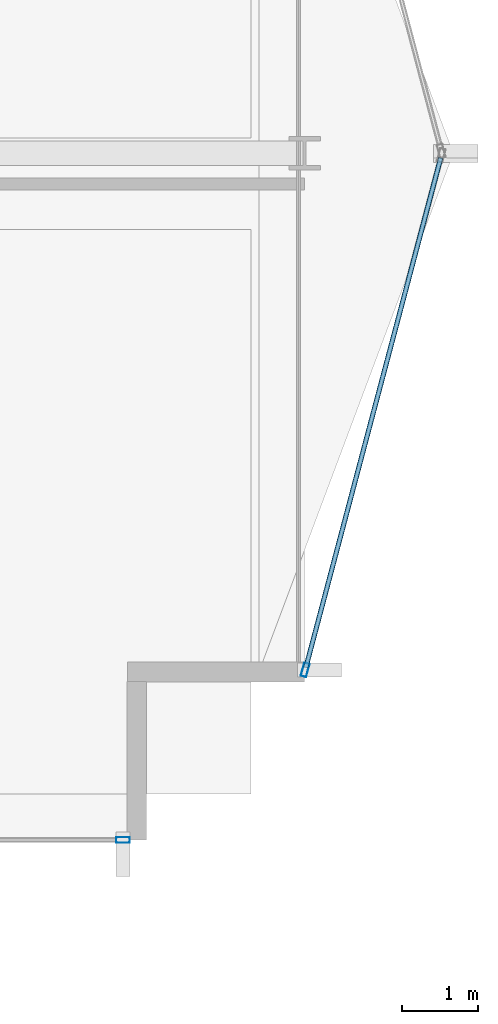
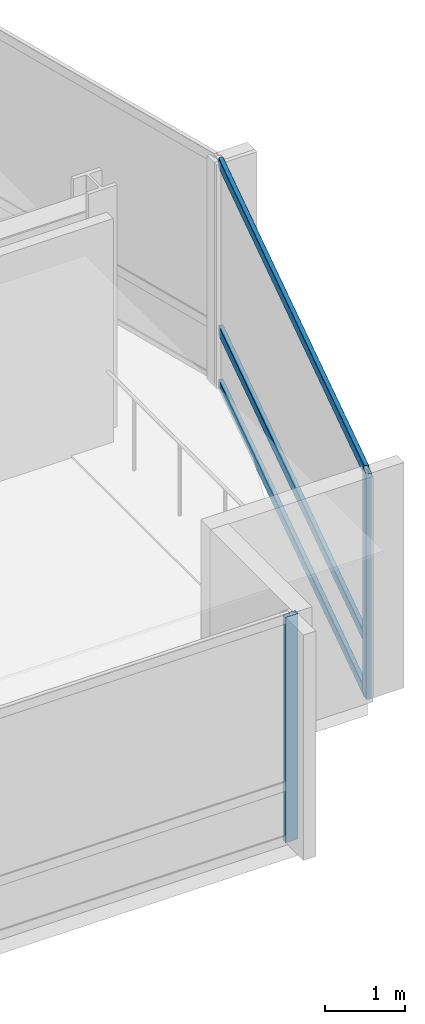
# One storey, part 11 of 28: 5 members, 2 elements without a shape of their own.
"""IFC4 building model written with IfcOpenShell, lengths in metres."""

from ifc_helpers import new_model, si_unit, direction, frame, origin, origin_2d, place, context, subcontext, project, spatial, hollow_rectangle, extrude, material, layer, layer_set, material_profile, profile_set, type_object, element, aggregate, save


model = new_model("IFC4")

# Units and contexts
model_context = context("Model", 3, precision=1e-05, world=origin(), true_north=direction((0.0, 1.0)))
body_context = subcontext(model_context, "Body", "Model", "MODEL_VIEW")
ifc_project = project(units=[si_unit("LENGTHUNIT", "METRE"), si_unit("AREAUNIT", "SQUARE_METRE"), si_unit("VOLUMEUNIT", "CUBIC_METRE"), si_unit("PLANEANGLEUNIT", "RADIAN"), si_unit("MASSUNIT", "GRAM", prefix="KILO")], contexts=[model_context])

# Site, building, storey
site_placement = place(None, origin())
site = spatial("IfcSite", under=ifc_project, at=site_placement, CompositionType="ELEMENT")
building_placement = place(site_placement, origin())
building = spatial("IfcBuilding", under=site, at=building_placement, Name="Solvaryn Broadcast Tower", CompositionType="ELEMENT")
storey_placement = place(building_placement, frame((0.0, 0.0, 150.699951171875)))
storey = spatial("IfcBuildingStorey", under=building, at=storey_placement, Name="L37", CompositionType="ELEMENT", Elevation=150.699951171875)

# Curtain wall, member
ifc_material_1 = material(Name="Aluminium and Terracotta Unitised Curtain Wall", Category="masonry")
ifc_layer = layer(ifc_material_1, 0.199951171875)
ifc_layer_set = layer_set([ifc_layer], Name="CW-SYS2-LOWMID")
curtain_wall_type = type_object("IfcCurtainWallType", Name="CW-SYS2-LOWMID", PredefinedType="NOTDEFINED", material=ifc_layer_set)
curtain_wall_1_placement = place(storey_placement, origin())
curtain_wall_1 = element("IfcCurtainWall", 1, at=curtain_wall_1_placement, inside=storey, type_object=curtain_wall_type, Name="L37 Curtain Wall S2", PredefinedType="NOTDEFINED")
ifc_material_2 = material(Name="Anodised Aluminium 6063-T6", Category="aluminium")
ifc_material_profile_1 = material_profile(ifc_material_2, hollow_rectangle(XDim=0.074951171875, YDim=0.179931640625, WallThickness=0.00390625, InnerFilletRadius=0.00390625, OuterFilletRadius=0.008056640625, at=origin_2d()))
ifc_profile_set_1 = profile_set([ifc_material_profile_1], Name="Anodised Aluminium 6063-T6")
member_type_1 = type_object("IfcMemberType", Name="CW-MUL-180", PredefinedType="MULLION", material=ifc_profile_set_1)
member_1_placement = place(storey_placement, frame((51.6201171875, 9.0, 0.0), z_axis=(0.0, 0.0, 1.0), x_axis=(0.0, 1.0, 0.0)))
member_1 = element("IfcMember", 2, at=member_1_placement, type_object=member_type_1, Name="CWS2 mullion 2", PredefinedType="MULLION", context=body_context, shape_type="SweptSolid", body=[
    extrude(hollow_rectangle(XDim=0.074951171875, YDim=0.179931640625, WallThickness=0.00390625, InnerFilletRadius=0.00390625, OuterFilletRadius=0.008056640625, at=origin_2d()), origin(), (0.0, 0.0, 1.0), 3.420166015625),
])
aggregate(curtain_wall_1, [member_1])

# Curtain wall, members
curtain_wall_2_placement = place(storey_placement, origin())
curtain_wall_2 = element("IfcCurtainWall", 3, at=curtain_wall_2_placement, inside=storey, type_object=curtain_wall_type, Name="L37 Curtain Wall ET2", PredefinedType="NOTDEFINED")
member_2_placement = place(storey_placement, frame((54.007568359375, 11.22900390625, 0.0), z_axis=(0.0, 0.0, 1.0), x_axis=(0.966705227863, -0.25589256031, 0.0)))
member_2 = element("IfcMember", 4, at=member_2_placement, type_object=member_type_1, Name="CWS2 mullion 2", PredefinedType="MULLION", context=body_context, shape_type="SweptSolid", body=[
    extrude(hollow_rectangle(XDim=0.074951171875, YDim=0.179931640625, WallThickness=0.00390625, InnerFilletRadius=0.00390625, OuterFilletRadius=0.008056640625, at=origin_2d()), origin(), (0.0, 0.0, 1.0), 3.420166015625),
])
ifc_material_3 = material(Name="Anodised Aluminium 6063-T6", Category="aluminium")
ifc_material_profile_2 = material_profile(ifc_material_3, hollow_rectangle(XDim=0.06494140625, YDim=0.14990234375, WallThickness=0.00390625, InnerFilletRadius=0.00390625, OuterFilletRadius=0.008056640625, at=origin_2d()))
ifc_profile_set_2 = profile_set([ifc_material_profile_2], Name="Anodised Aluminium 6063-T6")
member_type_2 = type_object("IfcMemberType", Name="CW-TRN-150", PredefinedType="USERDEFINED", material=ifc_profile_set_2)
member_3_placement = place(storey_placement, frame((55.78466796875, 17.94189453125, 0.030029296875), z_axis=(-0.255897413051, -0.966703943301, 0.0), x_axis=(0.966703943301, -0.255897413051, 0.0)))
member_3 = element("IfcMember", 5, at=member_3_placement, type_object=member_type_2, Name="CWS2 transom 1.1", ObjectType="TRANSOM", PredefinedType="USERDEFINED", context=body_context, shape_type="SweptSolid", body=[
    extrude(hollow_rectangle(XDim=0.06494140625, YDim=0.14990234375, WallThickness=0.00390625, InnerFilletRadius=0.00390625, OuterFilletRadius=0.008056640625, at=origin_2d()), origin(), (0.0, 0.0, 1.0), 6.9140625),
])
member_4_placement = place(storey_placement, frame((55.78466796875, 17.94189453125, 0.85009765625), z_axis=(-0.255897413051, -0.966703943301, 0.0), x_axis=(0.966703943301, -0.255897413051, 0.0)))
member_4 = element("IfcMember", 6, at=member_4_placement, type_object=member_type_2, Name="CWS2 transom 1.2", ObjectType="TRANSOM", PredefinedType="USERDEFINED", context=body_context, shape_type="SweptSolid", body=[
    extrude(hollow_rectangle(XDim=0.06494140625, YDim=0.14990234375, WallThickness=0.00390625, InnerFilletRadius=0.00390625, OuterFilletRadius=0.008056640625, at=origin_2d()), origin(), (0.0, 0.0, 1.0), 6.9140625),
])
member_5_placement = place(storey_placement, frame((55.78466796875, 17.94189453125, 3.39013671875), z_axis=(-0.255897413051, -0.966703943301, 0.0), x_axis=(0.966703943301, -0.255897413051, 0.0)))
member_5 = element("IfcMember", 7, at=member_5_placement, type_object=member_type_2, Name="CWS2 transom 1.3", ObjectType="TRANSOM", PredefinedType="USERDEFINED", context=body_context, shape_type="SweptSolid", body=[
    extrude(hollow_rectangle(XDim=0.06494140625, YDim=0.14990234375, WallThickness=0.00390625, InnerFilletRadius=0.00390625, OuterFilletRadius=0.008056640625, at=origin_2d()), origin(), (0.0, 0.0, 1.0), 6.9140625),
])
aggregate(curtain_wall_2, [member_2, member_3, member_4, member_5])

save(model, "model.ifc")
